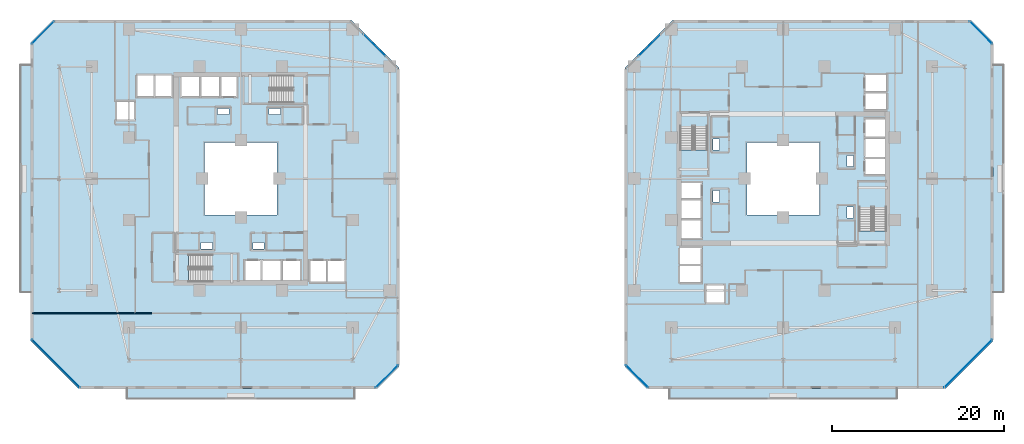
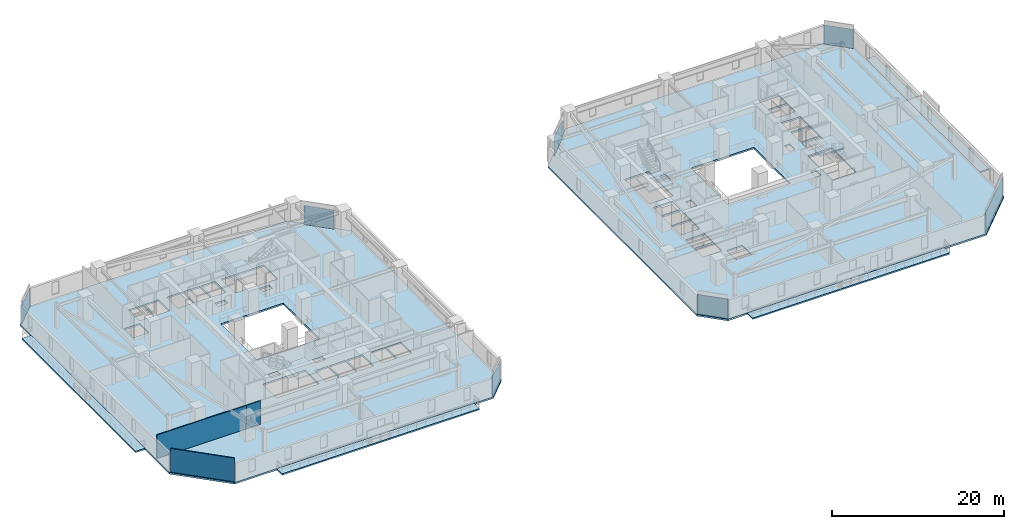
# One storey, part 17 of 33: 10 slabs, 8 plates, 3 walls, 12 elements without a shape of their own.
"""IFC4 building model written with IfcOpenShell, lengths in metres."""

from ifc_helpers import new_model, si_unit, direction, frame, frame_2d, origin, origin_2d, place, context, subcontext, project, spatial, polyline, rectangle, outline, extrude, material, layer, layer_set, type_object, element, aggregate, save


model = new_model("IFC4")

# Units and contexts
model_context = context("Model", 3, precision=1e-05, world=origin(), true_north=direction((0.0, 1.0)))
body_context = subcontext(model_context, "Body", "Model", "MODEL_VIEW")
ifc_project = project(units=[si_unit("LENGTHUNIT", "METRE"), si_unit("AREAUNIT", "SQUARE_METRE"), si_unit("VOLUMEUNIT", "CUBIC_METRE"), si_unit("PLANEANGLEUNIT", "RADIAN"), si_unit("MASSUNIT", "GRAM", prefix="KILO")], contexts=[model_context])

# Site, building, storey
site_placement = place(None, origin())
site = spatial("IfcSite", under=ifc_project, at=site_placement, CompositionType="ELEMENT")
building_placement = place(site_placement, origin())
building = spatial("IfcBuilding", under=site, at=building_placement, Name="Thornwick Lancets Civic Towers", CompositionType="ELEMENT")
storey_placement = place(building_placement, frame((0.0, 0.0, 35.10009765625)))
storey = spatial("IfcBuildingStorey", under=building, at=storey_placement, Name="L08", CompositionType="ELEMENT", Elevation=35.10009765625)

# Curtain wall, plate
ifc_material_1 = material(Name="Low-zone chamfered-corner unitised glass curtain wall", Category="glass")
curtain_wall_type = type_object("IfcCurtainWallType", Name="CW_SYS_03", PredefinedType="NOTDEFINED", material=ifc_material_1)
curtain_wall_1_placement = place(storey_placement, origin())
curtain_wall_1 = element("IfcCurtainWall", 1, at=curtain_wall_1_placement, inside=storey, type_object=curtain_wall_type, Name="L08 Curtain Wall CW-L08-A-E1", PredefinedType="NOTDEFINED")
ifc_material_2 = material(Name="Low-e double glazing clear glass", Category="glass")
ifc_layer_1 = layer(ifc_material_2, 0.035888671875, Name="Low-e double glazing clear glass")
ifc_layer_set_1 = layer_set([ifc_layer_1], Name="Low-e double glazing clear glass")
plate_type = type_object("IfcPlateType", Name="CW_PNL_GLASS", PredefinedType="CURTAIN_PANEL", material=ifc_layer_set_1)
plate_1_placement = place(storey_placement, frame((42.472900390625, 4.027099609375, 0.0), z_axis=(0.0, 0.0, 1.0), x_axis=(0.707106781187, 0.707106781187, 0.0)))
plate_1 = element("IfcPlate", 2, at=plate_1_placement, type_object=plate_type, Name="CW-L08-A-E1 Panel 0", PredefinedType="CURTAIN_PANEL", context=body_context, shape_type="SweptSolid", body=[
    extrude(rectangle(XDim=3.64990234375, YDim=0.035888671875, at=origin_2d()), origin(), (0.0, 0.0, 1.0), 2.699951171875),
])
aggregate(curtain_wall_1, [plate_1])

curtain_wall_2_placement = place(storey_placement, origin())
curtain_wall_2 = element("IfcCurtainWall", 3, at=curtain_wall_2_placement, inside=storey, type_object=curtain_wall_type, Name="L08 Curtain Wall CW-L08-A-E3", PredefinedType="NOTDEFINED")
plate_2_placement = place(storey_placement, frame((41.001708984375, 42.501708984375, 0.0), z_axis=(0.0, 0.0, 1.0), x_axis=(-0.707106781187, 0.707106781187, 0.0)))
plate_2 = element("IfcPlate", 4, at=plate_2_placement, type_object=plate_type, Name="CW-L08-A-E3 Panel 0", PredefinedType="CURTAIN_PANEL", context=body_context, shape_type="SweptSolid", body=[
    extrude(rectangle(XDim=3.5771484375, YDim=0.035888671875, at=origin_2d()), origin(), (0.0, 0.0, 1.0), 2.699951171875),
])
aggregate(curtain_wall_2, [plate_2])

curtain_wall_3_placement = place(storey_placement, origin())
curtain_wall_3 = element("IfcCurtainWall", 5, at=curtain_wall_3_placement, inside=storey, type_object=curtain_wall_type, Name="L08 Curtain Wall CW-L08-A-E5", PredefinedType="NOTDEFINED")
plate_3_placement = place(storey_placement, frame((2.527099609375, 43.972900390625, 0.0), z_axis=(0.0, 0.0, 1.0), x_axis=(-0.707106781187, -0.707106781187, 0.0)))
plate_3 = element("IfcPlate", 6, at=plate_3_placement, type_object=plate_type, Name="CW-L08-A-E5 Panel 0", PredefinedType="CURTAIN_PANEL", context=body_context, shape_type="SweptSolid", body=[
    extrude(rectangle(XDim=3.64990234375, YDim=0.035888671875, at=origin_2d()), origin(), (0.0, 0.0, 1.0), 2.699951171875),
])
aggregate(curtain_wall_3, [plate_3])

curtain_wall_4_placement = place(storey_placement, origin())
curtain_wall_4 = element("IfcCurtainWall", 7, at=curtain_wall_4_placement, inside=storey, type_object=curtain_wall_type, Name="L08 Curtain Wall CW-L08-A-E7", PredefinedType="NOTDEFINED")
plate_4_placement = place(storey_placement, frame((3.998291015625, 5.498291015625, 0.0), z_axis=(0.0, 0.0, 1.0), x_axis=(0.707106781187, -0.707106781187, 0.0)))
plate_4 = element("IfcPlate", 8, at=plate_4_placement, type_object=plate_type, Name="CW-L08-A-E7 Panel 0", PredefinedType="CURTAIN_PANEL", context=body_context, shape_type="SweptSolid", body=[
    extrude(rectangle(XDim=7.784912109375, YDim=0.035888671875, at=origin_2d()), origin(), (0.0, 0.0, 1.0), 2.699951171875),
])
aggregate(curtain_wall_4, [plate_4])

curtain_wall_5_placement = place(storey_placement, origin())
curtain_wall_5 = element("IfcCurtainWall", 9, at=curtain_wall_5_placement, inside=storey, type_object=curtain_wall_type, Name="L08 Curtain Wall CW-L08-B-E1", PredefinedType="NOTDEFINED")
plate_5_placement = place(storey_placement, frame((110.001708984375, 5.498291015625, 0.0), z_axis=(0.0, 0.0, 1.0), x_axis=(0.707106781187, 0.707106781187, 0.0)))
plate_5 = element("IfcPlate", 10, at=plate_5_placement, type_object=plate_type, Name="CW-L08-B-E1 Panel 0", PredefinedType="CURTAIN_PANEL", context=body_context, shape_type="SweptSolid", body=[
    extrude(rectangle(XDim=7.784912109375, YDim=0.035888671875, at=origin_2d()), origin(), (0.0, 0.0, 1.0), 2.699951171875),
])
aggregate(curtain_wall_5, [plate_5])

curtain_wall_6_placement = place(storey_placement, origin())
curtain_wall_6 = element("IfcCurtainWall", 11, at=curtain_wall_6_placement, inside=storey, type_object=curtain_wall_type, Name="L08 Curtain Wall CW-L08-B-E3", PredefinedType="NOTDEFINED")
plate_6_placement = place(storey_placement, frame((111.472900390625, 43.972900390625, 0.0), z_axis=(0.0, 0.0, 1.0), x_axis=(-0.707106781187, 0.707106781187, 0.0)))
plate_6 = element("IfcPlate", 12, at=plate_6_placement, type_object=plate_type, Name="CW-L08-B-E3 Panel 0", PredefinedType="CURTAIN_PANEL", context=body_context, shape_type="SweptSolid", body=[
    extrude(rectangle(XDim=3.64990234375, YDim=0.035888671875, at=origin_2d()), origin(), (0.0, 0.0, 1.0), 2.699951171875),
])
aggregate(curtain_wall_6, [plate_6])

curtain_wall_7_placement = place(storey_placement, origin())
curtain_wall_7 = element("IfcCurtainWall", 13, at=curtain_wall_7_placement, inside=storey, type_object=curtain_wall_type, Name="L08 Curtain Wall CW-L08-B-E5", PredefinedType="NOTDEFINED")
plate_7_placement = place(storey_placement, frame((72.998291015625, 42.501708984375, 0.0), z_axis=(0.0, 0.0, 1.0), x_axis=(-0.707106781187, -0.707106781187, 0.0)))
plate_7 = element("IfcPlate", 14, at=plate_7_placement, type_object=plate_type, Name="CW-L08-B-E5 Panel 0", PredefinedType="CURTAIN_PANEL", context=body_context, shape_type="SweptSolid", body=[
    extrude(rectangle(XDim=3.5771484375, YDim=0.035888671875, at=origin_2d()), origin(), (0.0, 0.0, 1.0), 2.699951171875),
])
aggregate(curtain_wall_7, [plate_7])

curtain_wall_8_placement = place(storey_placement, origin())
curtain_wall_8 = element("IfcCurtainWall", 15, at=curtain_wall_8_placement, inside=storey, type_object=curtain_wall_type, Name="L08 Curtain Wall CW-L08-B-E7", PredefinedType="NOTDEFINED")
plate_8_placement = place(storey_placement, frame((71.527099609375, 4.027099609375, 0.0), z_axis=(0.0, 0.0, 1.0), x_axis=(0.707106781187, -0.707106781187, 0.0)))
plate_8 = element("IfcPlate", 16, at=plate_8_placement, type_object=plate_type, Name="CW-L08-B-E7 Panel 0", PredefinedType="CURTAIN_PANEL", context=body_context, shape_type="SweptSolid", body=[
    extrude(rectangle(XDim=3.64990234375, YDim=0.035888671875, at=origin_2d()), origin(), (0.0, 0.0, 1.0), 2.699951171875),
])
aggregate(curtain_wall_8, [plate_8])

# Slabs
ifc_material_3 = material(Name="Post-tensioned concrete C40/50", Category="concrete")
ifc_layer_2 = layer(ifc_material_3, 0.199951171875, Name="Post-tensioned concrete C40/50")
ifc_layer_set_2 = layer_set([ifc_layer_2], Name="Post-tensioned concrete C40/50")
slab_type_1 = type_object("IfcSlabType", Name="SLAB_BALCONY_200", PredefinedType="FLOOR", material=ifc_layer_set_2)
slab_1_placement = place(storey_placement, frame((0.0, 0.0, -0.2001953125)))
element("IfcSlab", 17, at=slab_1_placement, inside=storey, type_object=slab_type_1, Name="L08 Tower A Planted Balcony Slab W", PredefinedType="FLOOR", context=body_context, shape_type="SweptSolid", body=[
    extrude(outline(polyline([(-0.14990234375, 13.800048828125), (1.10009765625, 13.800048828125), (1.10009765625, 40.199951171875), (-0.14990234375, 40.199951171875), (-0.14990234375, 13.800048828125)])), origin(), (0.0, 0.0, 1.0), 0.2001953125),
])
slab_2_placement = place(storey_placement, frame((0.0, 0.0, -0.2001953125)))
element("IfcSlab", 18, at=slab_2_placement, inside=storey, type_object=slab_type_1, Name="L08 Tower A Planted Balcony Slab S", PredefinedType="FLOOR", context=body_context, shape_type="SweptSolid", body=[
    extrude(outline(polyline([(12.300048828125, 1.35009765625), (38.699951171875, 1.35009765625), (38.699951171875, 2.60009765625), (12.300048828125, 2.60009765625), (12.300048828125, 1.35009765625)])), origin(), (0.0, 0.0, 1.0), 0.2001953125),
])
slab_3_placement = place(storey_placement, frame((0.0, 0.0, -0.2001953125)))
element("IfcSlab", 19, at=slab_3_placement, inside=storey, type_object=slab_type_1, Name="L08 Tower B Planted Balcony Slab E", PredefinedType="FLOOR", context=body_context, shape_type="SweptSolid", body=[
    extrude(outline(polyline([(112.89990234375, 13.800048828125), (114.14990234375, 13.800048828125), (114.14990234375, 40.199951171875), (112.89990234375, 40.199951171875), (112.89990234375, 13.800048828125)])), origin(), (0.0, 0.0, 1.0), 0.2001953125),
])
slab_4_placement = place(storey_placement, frame((0.0, 0.0, -0.2001953125)))
element("IfcSlab", 20, at=slab_4_placement, inside=storey, type_object=slab_type_1, Name="L08 Tower B Planted Balcony Slab S", PredefinedType="FLOOR", context=body_context, shape_type="SweptSolid", body=[
    extrude(outline(polyline([(75.300048828125, 1.35009765625), (101.699951171875, 1.35009765625), (101.699951171875, 2.60009765625), (75.300048828125, 2.60009765625), (75.300048828125, 1.35009765625)])), origin(), (0.0, 0.0, 1.0), 0.2001953125),
])

# Stair, slab
ifc_material_4 = material(Name="Concrete C40/50", Category="concrete")
stair_type = type_object("IfcStairType", Name="STAIR_DL_3600", PredefinedType="HALF_TURN_STAIR", material=ifc_material_4)
stair_1_placement = place(storey_placement, origin())
stair_1 = element("IfcStair", 21, at=stair_1_placement, inside=storey, type_object=stair_type, Name="L08 Tower A South Exit Stair ST-A1", PredefinedType="HALF_TURN_STAIR")
ifc_layer_3 = layer(ifc_material_4, 0.25, Name="Concrete C40/50")
ifc_layer_set_3 = layer_set([ifc_layer_3], Name="Concrete C40/50")
slab_type_2 = type_object("IfcSlabType", Name="SLAB_LANDING_200", PredefinedType="LANDING", material=ifc_layer_set_3)
slab_5_placement = place(storey_placement, frame((0.0, 0.0, 1.602783203125)))
slab_5 = element("IfcSlab", 22, at=slab_5_placement, type_object=slab_type_2, Name="ST-A1 landing 1", PredefinedType="LANDING", context=body_context, shape_type="SweptSolid", body=[
    extrude(outline(polyline([(22.169921875, 14.93994140625), (25.14990234375, 14.93994140625), (25.14990234375, 18.260009765625), (22.169921875, 18.260009765625), (22.169921875, 14.93994140625)])), origin(), (0.0, 0.0, 1.0), 0.2001953125),
])
aggregate(stair_1, [slab_5])

stair_2_placement = place(storey_placement, origin())
stair_2 = element("IfcStair", 23, at=stair_2_placement, inside=storey, type_object=stair_type, Name="L08 Tower A North Exit Stair ST-A2", PredefinedType="HALF_TURN_STAIR")
slab_6_placement = place(storey_placement, frame((0.0, 0.0, 1.602783203125)))
slab_6 = element("IfcSlab", 24, at=slab_6_placement, type_object=slab_type_2, Name="ST-A2 landing 1", PredefinedType="LANDING", context=body_context, shape_type="SweptSolid", body=[
    extrude(outline(polyline([(28.830078125, 39.06005859375), (25.85009765625, 39.06005859375), (25.85009765625, 35.739990234375), (28.830078125, 35.739990234375), (28.830078125, 39.06005859375)])), origin(), (0.0, 0.0, 1.0), 0.2001953125),
])
aggregate(stair_2, [slab_6])

stair_3_placement = place(storey_placement, origin())
stair_3 = element("IfcStair", 25, at=stair_3_placement, inside=storey, type_object=stair_type, Name="L08 Tower B East Exit Stair ST-B1", PredefinedType="HALF_TURN_STAIR")
slab_7_placement = place(storey_placement, frame((0.0, 0.0, 1.602783203125)))
slab_7 = element("IfcSlab", 26, at=slab_7_placement, type_object=slab_type_2, Name="ST-B1 landing 1", PredefinedType="LANDING", context=body_context, shape_type="SweptSolid", body=[
    extrude(outline(polyline([(100.56005859375, 23.669921875), (100.56005859375, 26.64990234375), (97.239990234375, 26.64990234375), (97.239990234375, 23.669921875), (100.56005859375, 23.669921875)])), origin(), (0.0, 0.0, 1.0), 0.2001953125),
])
aggregate(stair_3, [slab_7])

stair_4_placement = place(storey_placement, origin())
stair_4 = element("IfcStair", 27, at=stair_4_placement, inside=storey, type_object=stair_type, Name="L08 Tower B West Exit Stair ST-B2", PredefinedType="HALF_TURN_STAIR")
slab_8_placement = place(storey_placement, frame((0.0, 0.0, 1.602783203125)))
slab_8 = element("IfcSlab", 28, at=slab_8_placement, type_object=slab_type_2, Name="ST-B2 landing 1", PredefinedType="LANDING", context=body_context, shape_type="SweptSolid", body=[
    extrude(outline(polyline([(76.43994140625, 30.330078125), (76.43994140625, 27.35009765625), (79.760009765625, 27.35009765625), (79.760009765625, 30.330078125), (76.43994140625, 30.330078125)])), origin(), (0.0, 0.0, 1.0), 0.2001953125),
])
aggregate(stair_4, [slab_8])

# Slabs
ifc_layer_4 = layer(ifc_material_3, 0.239990234375, Name="Post-tensioned concrete C40/50")
ifc_layer_set_4 = layer_set([ifc_layer_4], Name="Post-tensioned concrete C40/50")
slab_type_3 = type_object("IfcSlabType", Name="SLAB_PT_240", PredefinedType="FLOOR", material=ifc_layer_set_4)
slab_9_placement = place(storey_placement, frame((0.0, 0.0, -0.239990234375)))
element("IfcSlab", 29, at=slab_9_placement, inside=storey, type_object=slab_type_3, Name="L08 Tower A Floor Slab", PredefinedType="FLOOR", context=body_context, shape_type="SweptSolid", body=[
    extrude(outline(polyline([(6.64501953125, 2.60009765625), (41.300048828125, 2.60009765625), (43.89990234375, 5.199951171875), (43.89990234375, 39.85498046875), (38.35498046875, 45.39990234375), (3.699951171875, 45.39990234375), (1.10009765625, 42.800048828125), (1.10009765625, 8.14501953125), (6.64501953125, 2.60009765625)]), holes=[polyline([(21.300048828125, 22.800048828125), (29.699951171875, 22.800048828125), (29.699951171875, 31.199951171875), (21.300048828125, 31.199951171875), (21.300048828125, 22.800048828125)]), polyline([(19.429931640625, 15.0), (25.10009765625, 15.0), (25.10009765625, 18.199951171875), (19.429931640625, 18.199951171875), (19.429931640625, 15.0)]), polyline([(31.570068359375, 39.0), (25.89990234375, 39.0), (25.89990234375, 35.800048828125), (31.570068359375, 35.800048828125), (31.570068359375, 39.0)]), polyline([(26.0, 15.0), (27.800048828125, 15.0), (27.800048828125, 17.550048828125), (26.0, 17.550048828125), (26.0, 15.0)]), polyline([(28.0, 15.0), (30.14990234375, 15.0), (30.14990234375, 17.550048828125), (28.0, 17.550048828125), (28.0, 15.0)]), polyline([(30.35009765625, 15.0), (32.39990234375, 15.0), (32.39990234375, 17.550048828125), (30.35009765625, 17.550048828125), (30.35009765625, 15.0)]), polyline([(33.550048828125, 15.0), (35.449951171875, 15.0), (35.449951171875, 17.550048828125), (33.550048828125, 17.550048828125), (33.550048828125, 15.0)]), polyline([(35.60009765625, 15.0), (37.550048828125, 15.0), (37.550048828125, 17.550048828125), (35.60009765625, 17.550048828125), (35.60009765625, 15.0)]), polyline([(23.199951171875, 36.449951171875), (25.0, 36.449951171875), (25.0, 39.0), (23.199951171875, 39.0), (23.199951171875, 36.449951171875)]), polyline([(20.85009765625, 36.449951171875), (23.0, 36.449951171875), (23.0, 39.0), (20.85009765625, 39.0), (20.85009765625, 36.449951171875)]), polyline([(18.60009765625, 36.449951171875), (20.699951171875, 36.449951171875), (20.699951171875, 39.0), (18.60009765625, 39.0), (18.60009765625, 36.449951171875)]), polyline([(15.550048828125, 36.449951171875), (17.449951171875, 36.449951171875), (17.449951171875, 39.0), (15.550048828125, 39.0), (15.550048828125, 36.449951171875)]), polyline([(13.449951171875, 36.449951171875), (15.39990234375, 36.449951171875), (15.39990234375, 39.0), (13.449951171875, 39.0), (13.449951171875, 36.449951171875)]), polyline([(11.10009765625, 33.85009765625), (13.199951171875, 33.85009765625), (13.199951171875, 35.949951171875), (11.10009765625, 35.949951171875), (11.10009765625, 33.85009765625)]), polyline([(26.89990234375, 18.85009765625), (28.199951171875, 18.85009765625), (28.199951171875, 19.580078125), (26.89990234375, 19.580078125), (26.89990234375, 18.85009765625)]), polyline([(20.89990234375, 18.85009765625), (22.199951171875, 18.85009765625), (22.199951171875, 19.580078125), (20.89990234375, 19.580078125), (20.89990234375, 18.85009765625)]), polyline([(22.800048828125, 34.419921875), (24.10009765625, 34.419921875), (24.10009765625, 35.14990234375), (22.800048828125, 35.14990234375), (22.800048828125, 34.419921875)]), polyline([(28.800048828125, 34.419921875), (30.10009765625, 34.419921875), (30.10009765625, 35.14990234375), (28.800048828125, 35.14990234375), (28.800048828125, 34.419921875)])]), origin(), (0.0, 0.0, 1.0), 0.239990234375),
])
slab_10_placement = place(storey_placement, frame((0.0, 0.0, -0.239990234375)))
element("IfcSlab", 30, at=slab_10_placement, inside=storey, type_object=slab_type_3, Name="L08 Tower B Floor Slab", PredefinedType="FLOOR", context=body_context, shape_type="SweptSolid", body=[
    extrude(outline(polyline([(72.699951171875, 2.60009765625), (107.35498046875, 2.60009765625), (112.89990234375, 8.14501953125), (112.89990234375, 42.800048828125), (110.300048828125, 45.39990234375), (75.64501953125, 45.39990234375), (70.10009765625, 39.85498046875), (70.10009765625, 5.199951171875), (72.699951171875, 2.60009765625)]), holes=[polyline([(84.300048828125, 22.800048828125), (92.699951171875, 22.800048828125), (92.699951171875, 31.199951171875), (84.300048828125, 31.199951171875), (84.300048828125, 22.800048828125)]), polyline([(100.5, 20.929931640625), (100.5, 26.60009765625), (97.300048828125, 26.60009765625), (97.300048828125, 20.929931640625), (100.5, 20.929931640625)]), polyline([(76.5, 33.070068359375), (76.5, 27.39990234375), (79.699951171875, 27.39990234375), (79.699951171875, 33.070068359375), (76.5, 33.070068359375)]), polyline([(97.949951171875, 27.5), (100.5, 27.5), (100.5, 29.300048828125), (97.949951171875, 29.300048828125), (97.949951171875, 27.5)]), polyline([(97.949951171875, 29.5), (100.5, 29.5), (100.5, 31.64990234375), (97.949951171875, 31.64990234375), (97.949951171875, 29.5)]), polyline([(97.949951171875, 31.85009765625), (100.5, 31.85009765625), (100.5, 33.89990234375), (97.949951171875, 33.89990234375), (97.949951171875, 31.85009765625)]), polyline([(97.949951171875, 35.050048828125), (100.5, 35.050048828125), (100.5, 36.949951171875), (97.949951171875, 36.949951171875), (97.949951171875, 35.050048828125)]), polyline([(97.949951171875, 37.10009765625), (100.5, 37.10009765625), (100.5, 39.050048828125), (97.949951171875, 39.050048828125), (97.949951171875, 37.10009765625)]), polyline([(76.5, 24.699951171875), (79.050048828125, 24.699951171875), (79.050048828125, 26.5), (76.5, 26.5), (76.5, 24.699951171875)]), polyline([(76.5, 22.35009765625), (79.050048828125, 22.35009765625), (79.050048828125, 24.5), (76.5, 24.5), (76.5, 22.35009765625)]), polyline([(76.5, 20.10009765625), (79.050048828125, 20.10009765625), (79.050048828125, 22.199951171875), (76.5, 22.199951171875), (76.5, 20.10009765625)]), polyline([(76.5, 17.050048828125), (79.050048828125, 17.050048828125), (79.050048828125, 18.949951171875), (76.5, 18.949951171875), (76.5, 17.050048828125)]), polyline([(76.5, 14.949951171875), (79.050048828125, 14.949951171875), (79.050048828125, 16.89990234375), (76.5, 16.89990234375), (76.5, 14.949951171875)]), polyline([(79.550048828125, 12.60009765625), (81.64990234375, 12.60009765625), (81.64990234375, 14.699951171875), (79.550048828125, 14.699951171875), (79.550048828125, 12.60009765625)]), polyline([(95.919921875, 28.39990234375), (96.64990234375, 28.39990234375), (96.64990234375, 29.699951171875), (95.919921875, 29.699951171875), (95.919921875, 28.39990234375)]), polyline([(95.919921875, 22.39990234375), (96.64990234375, 22.39990234375), (96.64990234375, 23.699951171875), (95.919921875, 23.699951171875), (95.919921875, 22.39990234375)]), polyline([(80.35009765625, 24.300048828125), (81.080078125, 24.300048828125), (81.080078125, 25.60009765625), (80.35009765625, 25.60009765625), (80.35009765625, 24.300048828125)]), polyline([(80.35009765625, 30.300048828125), (81.080078125, 30.300048828125), (81.080078125, 31.60009765625), (80.35009765625, 31.60009765625), (80.35009765625, 30.300048828125)])]), origin(), (0.0, 0.0, 1.0), 0.239990234375),
])

# Walls
ifc_material_5 = material(Name="Acoustic gypsum board partition")
ifc_layer_5 = layer(ifc_material_5, 0.1201171875, Name="Acoustic gypsum board partition")
ifc_layer_set_5 = layer_set([ifc_layer_5], Name="Acoustic gypsum board partition")
wall_type = type_object("IfcWallType", Name="WALL_PART_120", PredefinedType="PARTITIONING", material=ifc_layer_set_5)
wall_1_placement = place(storey_placement, frame((13.25, 11.35009765625, 0.0), z_axis=(0.0, 0.0, 1.0), x_axis=(-1.0, 0.0, 0.0)))
element("IfcWall", 31, at=wall_1_placement, inside=storey, type_object=wall_type, Name="L08 Partition L08-A-W1 E4", PredefinedType="PARTITIONING", context=body_context, shape_type="SweptSolid", body=[
    extrude(rectangle(XDim=11.969970703125, YDim=0.1201171875, at=frame_2d((5.98486328125, 0.0))), origin(), (0.0, 0.0, 1.0), 3.33984375),
])
wall_2_placement = place(storey_placement, frame((6.719482421875, 2.780029296875, 0.0), z_axis=(0.0, 0.0, 1.0), x_axis=(-0.707106781187, 0.707106781187, 0.0)))
element("IfcWall", 32, at=wall_2_placement, inside=storey, type_object=wall_type, Name="L08 Partition L08-A-S-OFF E2", PredefinedType="PARTITIONING", context=body_context, shape_type="SweptSolid", body=[
    extrude(rectangle(XDim=7.692626953125, YDim=0.1201171875, at=frame_2d((3.84619140625, 0.0))), origin(), (0.0, 0.0, 1.0), 3.33984375),
])
wall_3_placement = place(storey_placement, frame((13.25, 11.35009765625, 0.0), z_axis=(0.0, 0.0, 1.0), x_axis=(1.0, 0.0, 0.0)))
element("IfcWall", 33, at=wall_3_placement, inside=storey, type_object=wall_type, Name="L08 Partition L08-A-S-OFF E5", PredefinedType="PARTITIONING", context=body_context, shape_type="SweptSolid", body=[
    extrude(rectangle(XDim=1.89990234375, YDim=0.1201171875, at=frame_2d((0.949951171875, 0.0))), origin(), (0.0, 0.0, 1.0), 3.33984375),
])

save(model, "model.ifc")
